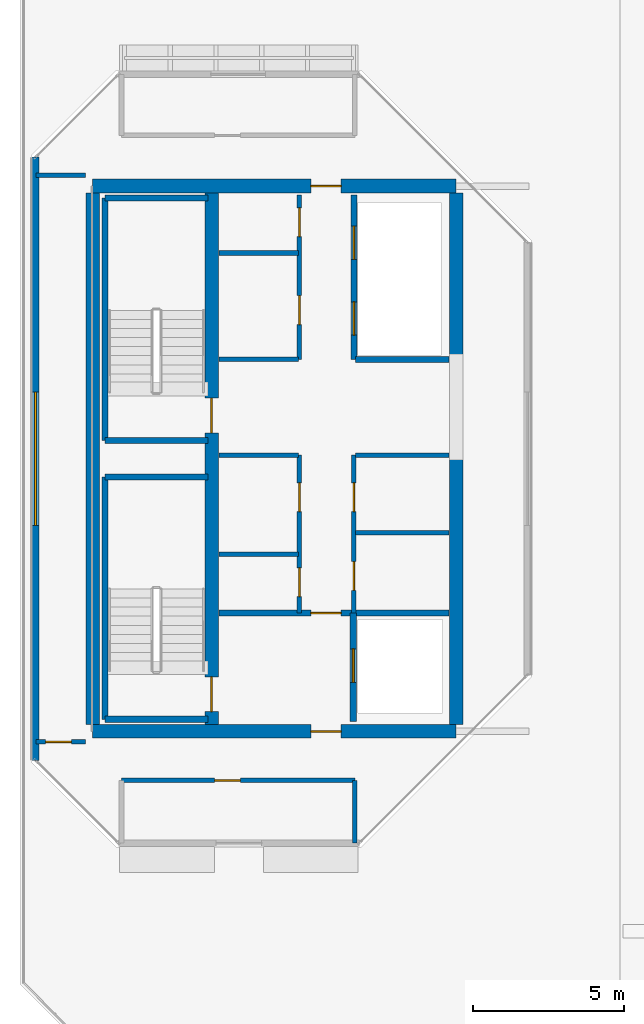
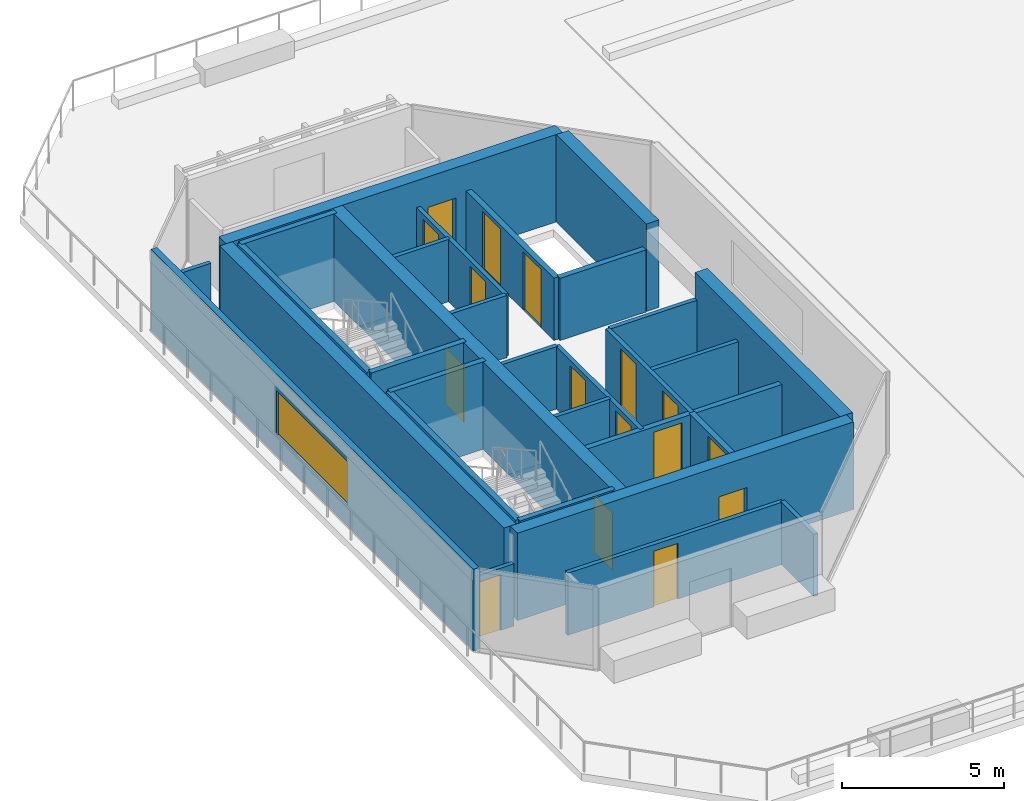
# One storey, part 21 of 30: 30 walls, 16 doors, 1 window, 17 openings.
"""IFC4 building model written with IfcOpenShell, lengths in metres."""

from ifc_helpers import new_model, si_unit, direction, frame, frame_2d, origin, place, context, subcontext, project, spatial, rectangle, extrude, material, layer, layer_set, type_object, element, fill, save


model = new_model("IFC4")

# Units and contexts
model_context = context("Model", 3, precision=1e-05, world=origin(), true_north=direction((0.0, 1.0)))
body_context = subcontext(model_context, "Body", "Model", "MODEL_VIEW")
ifc_project = project(units=[si_unit("LENGTHUNIT", "METRE"), si_unit("AREAUNIT", "SQUARE_METRE"), si_unit("VOLUMEUNIT", "CUBIC_METRE"), si_unit("PLANEANGLEUNIT", "RADIAN"), si_unit("MASSUNIT", "GRAM", prefix="KILO")], contexts=[model_context])

# Site, building, storey
site_placement = place(None, origin())
site = spatial("IfcSite", under=ifc_project, at=site_placement, CompositionType="ELEMENT")
building_placement = place(site_placement, origin())
building = spatial("IfcBuilding", under=site, at=building_placement, Name="Tanjung Sevakor Pilgrim Tower", CompositionType="ELEMENT")
storey_placement = place(building_placement, frame((0.0, 0.0, 229.35009765625)))
storey = spatial("IfcBuildingStorey", under=building, at=storey_placement, Name="L64", CompositionType="ELEMENT", Elevation=229.35009765625)

# Wall, opening, door
ifc_material_1 = material(Name="Concrete C60/75", Category="concrete")
ifc_layer_1 = layer(ifc_material_1, 0.449951171875)
ifc_layer_set_1 = layer_set([ifc_layer_1], Name="WALL-CW-450")
wall_type_1 = type_object("IfcWallType", Name="WALL-CW-450", PredefinedType="SHEAR", material=ifc_layer_set_1)
wall_1_placement = place(storey_placement, frame((24.0, 24.60009765625, 0.0), z_axis=(0.0, 0.0, 1.0), x_axis=(1.0, 0.0, 0.0)))
wall_1 = element("IfcWall", 1, at=wall_1_placement, inside=storey, type_object=wall_type_1, Name="L64 W Core South Shear Wall", PredefinedType="SHEAR", context=body_context, shape_type="SweptSolid", body=[
    extrude(rectangle(XDim=12.0, YDim=0.449951171875, at=frame_2d((6.0, 0.0))), origin(), (0.0, 0.0, 1.0), 3.2998046875),
])
opening_1_placement = place(wall_1_placement, frame((7.199951171875, 0.0, 0.0)))
opening_1 = element("IfcOpeningElement", 2, at=opening_1_placement, cuts=wall_1, Name="Opening ID-FD1", PredefinedType="OPENING", context=body_context, shape_type="SweptSolid", body=[
    extrude(rectangle(XDim=1.0, YDim=2.14990234375, at=frame_2d((0.5, 1.074951171875))), frame((0.0, 0.23486328125, 0.0), z_axis=(0.0, -1.0, 0.0), x_axis=(1.0, 0.0, 0.0)), (0.0, 0.0, 1.0), 0.469970703125),
])
ifc_material_2 = material(Name="Fire-Rated Steel S355J2", Category="steel")
door_type_1 = type_object("IfcDoorType", Name="DT-FIRE-1000", OperationType="NOTDEFINED", PredefinedType="DOOR", material=ifc_material_2)
door_1_placement = place(opening_1_placement, origin())
door_1 = element("IfcDoor", 3, at=door_1_placement, inside=storey, type_object=door_type_1, Name="L64 West Core South Vestibule Fire Door", OperationType="SINGLE_SWING_LEFT", OverallHeight=2.14990234375, OverallWidth=1.0, PredefinedType="DOOR", context=body_context, shape_type="SweptSolid", body=[
    extrude(rectangle(XDim=1.0, YDim=2.14990234375, at=frame_2d((0.5, 1.074951171875))), frame((0.0, 0.02490234375, 0.0), z_axis=(0.0, -1.0, 0.0), x_axis=(1.0, 0.0, 0.0)), (0.0, 0.0, 1.0), 0.050048828125),
])
fill(opening_1, door_1)

wall_2_placement = place(storey_placement, frame((36.0, 42.60009765625, 0.0), z_axis=(0.0, 0.0, 1.0), x_axis=(-1.0, 0.0, 0.0)))
wall_2 = element("IfcWall", 4, at=wall_2_placement, inside=storey, type_object=wall_type_1, Name="L64 W Core North Shear Wall", PredefinedType="SHEAR", context=body_context, shape_type="SweptSolid", body=[
    extrude(rectangle(XDim=12.0, YDim=0.449951171875, at=frame_2d((6.0, 0.0))), origin(), (0.0, 0.0, 1.0), 3.2998046875),
])
opening_2_placement = place(wall_2_placement, frame((3.800048828125, 0.0, 0.0)))
opening_2 = element("IfcOpeningElement", 5, at=opening_2_placement, cuts=wall_2, Name="Opening ID-FD1", PredefinedType="OPENING", context=body_context, shape_type="SweptSolid", body=[
    extrude(rectangle(XDim=1.0, YDim=2.14990234375, at=frame_2d((0.5, 1.074951171875))), frame((0.0, 0.23486328125, 0.0), z_axis=(0.0, -1.0, 0.0), x_axis=(1.0, 0.0, 0.0)), (0.0, 0.0, 1.0), 0.469970703125),
])
door_2_placement = place(opening_2_placement, origin())
door_2 = element("IfcDoor", 6, at=door_2_placement, inside=storey, type_object=door_type_1, Name="L64 West Core North Vestibule Fire Door", OperationType="SINGLE_SWING_RIGHT", OverallHeight=2.14990234375, OverallWidth=1.0, PredefinedType="DOOR", context=body_context, shape_type="SweptSolid", body=[
    extrude(rectangle(XDim=1.0, YDim=2.14990234375, at=frame_2d((0.5, 1.074951171875))), frame((0.0, 0.02490234375, 0.0), z_axis=(0.0, -1.0, 0.0), x_axis=(1.0, 0.0, 0.0)), (0.0, 0.0, 1.0), 0.050048828125),
])
fill(opening_2, door_2)

# Walls
wall_3_placement = place(storey_placement, frame((24.0, 24.824951171875, 0.0), z_axis=(0.0, 0.0, 1.0), x_axis=(0.0, 1.0, 0.0)))
element("IfcWall", 7, at=wall_3_placement, inside=storey, type_object=wall_type_1, Name="L64 W Core Outer Shear Wall", PredefinedType="SHEAR", context=body_context, shape_type="SweptSolid", body=[
    extrude(rectangle(XDim=17.550048828125, YDim=0.449951171875, at=frame_2d((8.77490234375, 0.0))), origin(), (0.0, 0.0, 1.0), 3.2998046875),
])
wall_4_placement = place(storey_placement, frame((36.0, 24.824951171875, 0.0), z_axis=(0.0, 0.0, 1.0), x_axis=(0.0, 1.0, 0.0)))
element("IfcWall", 8, at=wall_4_placement, inside=storey, type_object=wall_type_1, Name="L64 W Core Inner Shear Wall South", PredefinedType="SHEAR", context=body_context, shape_type="SweptSolid", body=[
    extrude(rectangle(XDim=8.97509765625, YDim=0.449951171875, at=frame_2d((4.487548828125, 0.0))), origin(), (0.0, 0.0, 1.0), 3.2998046875),
])
wall_5_placement = place(storey_placement, frame((36.0, 36.800048828125, 0.0), z_axis=(0.0, 0.0, 1.0), x_axis=(0.0, 1.0, 0.0)))
element("IfcWall", 9, at=wall_5_placement, inside=storey, type_object=wall_type_1, Name="L64 W Core Inner Shear Wall North", PredefinedType="SHEAR", context=body_context, shape_type="SweptSolid", body=[
    extrude(rectangle(XDim=5.574951171875, YDim=0.449951171875, at=frame_2d((2.78759765625, 0.0))), origin(), (0.0, 0.0, 1.0), 3.2998046875),
])

# Wall, openings, doors
wall_6_placement = place(storey_placement, frame((27.925048828125, 24.824951171875, 0.0), z_axis=(0.0, 0.0, 1.0), x_axis=(0.0, 1.0, 0.0)))
wall_6 = element("IfcWall", 10, at=wall_6_placement, inside=storey, type_object=wall_type_1, Name="L64 W Core Stair Spine Wall", PredefinedType="SHEAR", context=body_context, shape_type="SweptSolid", body=[
    extrude(rectangle(XDim=17.550048828125, YDim=0.449951171875, at=frame_2d((8.77490234375, 0.0))), origin(), (0.0, 0.0, 1.0), 3.2998046875),
])
opening_3_placement = place(wall_6_placement, frame((0.425048828125, 0.0, 0.0)))
opening_3 = element("IfcOpeningElement", 11, at=opening_3_placement, cuts=wall_6, Name="Opening ID-ST1", PredefinedType="OPENING", context=body_context, shape_type="SweptSolid", body=[
    extrude(rectangle(XDim=1.14990234375, YDim=2.14990234375, at=frame_2d((0.574951171875, 1.074951171875))), frame((0.0, 0.23486328125, 0.0), z_axis=(0.0, -1.0, 0.0), x_axis=(1.0, 0.0, 0.0)), (0.0, 0.0, 1.0), 0.469970703125),
])
opening_4_placement = place(wall_6_placement, frame((9.625, 0.0, 0.0)))
opening_4 = element("IfcOpeningElement", 12, at=opening_4_placement, cuts=wall_6, Name="Opening ID-ST1", PredefinedType="OPENING", context=body_context, shape_type="SweptSolid", body=[
    extrude(rectangle(XDim=1.14990234375, YDim=2.14990234375, at=frame_2d((0.574951171875, 1.074951171875))), frame((0.0, 0.23486328125, 0.0), z_axis=(0.0, -1.0, 0.0), x_axis=(1.0, 0.0, 0.0)), (0.0, 0.0, 1.0), 0.469970703125),
])
ifc_material_3 = material(Name="Fire-Rated Steel S355J2", Category="steel")
door_type_2 = type_object("IfcDoorType", Name="DT-FIRE-1150", OperationType="NOTDEFINED", PredefinedType="DOOR", material=ifc_material_3)
door_3_placement = place(opening_3_placement, origin())
door_3 = element("IfcDoor", 13, at=door_3_placement, inside=storey, type_object=door_type_2, Name="L64 TS-W1 Stair Fire Door", OperationType="SINGLE_SWING_LEFT", OverallHeight=2.14990234375, OverallWidth=1.14990234375, PredefinedType="DOOR", context=body_context, shape_type="SweptSolid", body=[
    extrude(rectangle(XDim=1.14990234375, YDim=2.14990234375, at=frame_2d((0.574951171875, 1.074951171875))), frame((0.0, 0.02490234375, 0.0), z_axis=(0.0, -1.0, 0.0), x_axis=(1.0, 0.0, 0.0)), (0.0, 0.0, 1.0), 0.050048828125),
])
fill(opening_3, door_3)
door_4_placement = place(opening_4_placement, origin())
door_4 = element("IfcDoor", 14, at=door_4_placement, inside=storey, type_object=door_type_2, Name="L64 TS-W2 Stair Fire Door", OperationType="SINGLE_SWING_RIGHT", OverallHeight=2.14990234375, OverallWidth=1.14990234375, PredefinedType="DOOR", context=body_context, shape_type="SweptSolid", body=[
    extrude(rectangle(XDim=1.14990234375, YDim=2.14990234375, at=frame_2d((0.574951171875, 1.074951171875))), frame((0.0, 0.02490234375, 0.0), z_axis=(0.0, -1.0, 0.0), x_axis=(1.0, 0.0, 0.0)), (0.0, 0.0, 1.0), 0.050048828125),
])
fill(opening_4, door_4)

# Walls
ifc_material_4 = material(Name="Concrete C40/50", Category="concrete")
ifc_layer_2 = layer(ifc_material_4, 0.14990234375)
ifc_layer_set_2 = layer_set([ifc_layer_2], Name="WT-COMP-150")
wall_type_2 = type_object("IfcWallType", Name="WT-COMP-150", PredefinedType="SOLIDWALL", material=ifc_layer_set_2)
for number, where, z_axis, x_axis, name in (
    (15, (28.169921875, 30.449951171875, 0.0), (0.0, 0.0, 1.0), (1.0, 0.0, 0.0), "L64 Partition IW-L64-003"),
    (16, (28.169921875, 33.719970703125, 0.0), (0.0, 0.0, 1.0), (1.0, 0.0, 0.0), "L64 Partition IW-L64-004"),
):
    element("IfcWall", number, at=place(storey_placement, frame(where, z_axis=z_axis, x_axis=x_axis)), inside=storey, type_object=wall_type_2, Name=name, PredefinedType="SOLIDWALL", context=body_context, shape_type="SweptSolid", body=[
        extrude(rectangle(XDim=2.630126953125, YDim=0.14990234375, at=frame_2d((1.31494140625, 0.0))), origin(), (0.0, 0.0, 1.0), 2.35009765625),
    ])

# Wall, openings, doors
wall_7_placement = place(storey_placement, frame((30.820068359375, 28.5, 0.0), z_axis=(0.0, 0.0, 1.0), x_axis=(0.0, 1.0, 0.0)))
wall_7 = element("IfcWall", 17, at=wall_7_placement, inside=storey, type_object=wall_type_2, Name="L64 Partition IW-L64-005", PredefinedType="SOLIDWALL", context=body_context, shape_type="SweptSolid", body=[
    extrude(rectangle(XDim=5.219970703125, YDim=0.14990234375, at=frame_2d((2.60986328125, 0.0))), origin(), (0.0, 0.0, 1.0), 2.35009765625),
])
opening_5_placement = place(wall_7_placement, frame((0.550048828125, 0.0, 0.0)))
opening_5 = element("IfcOpeningElement", 18, at=opening_5_placement, cuts=wall_7, Name="Opening ID-FD2", PredefinedType="OPENING", context=body_context, shape_type="SweptSolid", body=[
    extrude(rectangle(XDim=0.949951171875, YDim=2.14990234375, at=frame_2d((0.47509765625, 1.074951171875))), frame((0.0, 0.0849609375, 0.0), z_axis=(0.0, -1.0, 0.0), x_axis=(1.0, 0.0, 0.0)), (0.0, 0.0, 1.0), 0.169921875),
])
opening_6_placement = place(wall_7_placement, frame((3.35009765625, 0.0, 0.0)))
opening_6 = element("IfcOpeningElement", 19, at=opening_6_placement, cuts=wall_7, Name="Opening ID-FD2", PredefinedType="OPENING", context=body_context, shape_type="SweptSolid", body=[
    extrude(rectangle(XDim=0.949951171875, YDim=2.14990234375, at=frame_2d((0.47509765625, 1.074951171875))), frame((0.0, 0.0849609375, 0.0), z_axis=(0.0, -1.0, 0.0), x_axis=(1.0, 0.0, 0.0)), (0.0, 0.0, 1.0), 0.169921875),
])
ifc_material_5 = material(Name="Fire-Rated Timber", Category="wood")
door_type_3 = type_object("IfcDoorType", Name="DT-FIRE-950", OperationType="NOTDEFINED", PredefinedType="DOOR", material=ifc_material_5)
door_5_placement = place(opening_5_placement, origin())
door_5 = element("IfcDoor", 20, at=door_5_placement, inside=storey, type_object=door_type_3, Name="L64 Cleaner Store Door", OperationType="SINGLE_SWING_RIGHT", OverallHeight=2.14990234375, OverallWidth=0.949951171875, PredefinedType="DOOR", context=body_context, shape_type="SweptSolid", body=[
    extrude(rectangle(XDim=0.949951171875, YDim=2.14990234375, at=frame_2d((0.47509765625, 1.074951171875))), frame((0.0, 0.02490234375, 0.0), z_axis=(0.0, -1.0, 0.0), x_axis=(1.0, 0.0, 0.0)), (0.0, 0.0, 1.0), 0.050048828125),
])
fill(opening_5, door_5)
door_6_placement = place(opening_6_placement, origin())
door_6 = element("IfcDoor", 21, at=door_6_placement, inside=storey, type_object=door_type_3, Name="L64 Housekeeping Pantry Door", OperationType="SINGLE_SWING_LEFT", OverallHeight=2.14990234375, OverallWidth=0.949951171875, PredefinedType="DOOR", context=body_context, shape_type="SweptSolid", body=[
    extrude(rectangle(XDim=0.949951171875, YDim=2.14990234375, at=frame_2d((0.47509765625, 1.074951171875))), frame((0.0, 0.02490234375, 0.0), z_axis=(0.0, -1.0, 0.0), x_axis=(1.0, 0.0, 0.0)), (0.0, 0.0, 1.0), 0.050048828125),
])
fill(opening_6, door_6)

# Walls
for number, where, z_axis, x_axis, name in (
    (22, (32.679931640625, 31.14990234375, 0.0), (0.0, 0.0, 1.0), (1.0, 0.0, 0.0), "L64 Partition IW-L64-006"),
    (23, (32.679931640625, 33.719970703125, 0.0), (0.0, 0.0, 1.0), (1.0, 0.0, 0.0), "L64 Partition IW-L64-007"),
):
    element("IfcWall", number, at=place(storey_placement, frame(where, z_axis=z_axis, x_axis=x_axis)), inside=storey, type_object=wall_type_2, Name=name, PredefinedType="SOLIDWALL", context=body_context, shape_type="SweptSolid", body=[
        extrude(rectangle(XDim=3.074951171875, YDim=0.14990234375, at=frame_2d((1.53759765625, 0.0))), origin(), (0.0, 0.0, 1.0), 2.35009765625),
    ])

# Wall, openings, doors
wall_8_placement = place(storey_placement, frame((32.6201171875, 28.5, 0.0), z_axis=(0.0, 0.0, 1.0), x_axis=(0.0, 1.0, 0.0)))
wall_8 = element("IfcWall", 24, at=wall_8_placement, inside=storey, type_object=wall_type_2, Name="L64 Partition IW-L64-008", PredefinedType="SOLIDWALL", context=body_context, shape_type="SweptSolid", body=[
    extrude(rectangle(XDim=5.219970703125, YDim=0.14990234375, at=frame_2d((2.60986328125, 0.0))), origin(), (0.0, 0.0, 1.0), 2.35009765625),
])
opening_7_placement = place(wall_8_placement, frame((0.75, 0.0, 0.0)))
opening_7 = element("IfcOpeningElement", 25, at=opening_7_placement, cuts=wall_8, Name="Opening ID-FD2", PredefinedType="OPENING", context=body_context, shape_type="SweptSolid", body=[
    extrude(rectangle(XDim=0.949951171875, YDim=2.14990234375, at=frame_2d((0.47509765625, 1.074951171875))), frame((0.0, 0.0849609375, 0.0), z_axis=(0.0, -1.0, 0.0), x_axis=(1.0, 0.0, 0.0)), (0.0, 0.0, 1.0), 0.169921875),
])
opening_8_placement = place(wall_8_placement, frame((3.35009765625, 0.0, 0.0)))
opening_8 = element("IfcOpeningElement", 26, at=opening_8_placement, cuts=wall_8, Name="Opening ID-FD2", PredefinedType="OPENING", context=body_context, shape_type="SweptSolid", body=[
    extrude(rectangle(XDim=0.949951171875, YDim=2.14990234375, at=frame_2d((0.47509765625, 1.074951171875))), frame((0.0, 0.0849609375, 0.0), z_axis=(0.0, -1.0, 0.0), x_axis=(1.0, 0.0, 0.0)), (0.0, 0.0, 1.0), 0.169921875),
])
door_7_placement = place(opening_7_placement, origin())
door_7 = element("IfcDoor", 27, at=door_7_placement, inside=storey, type_object=door_type_3, Name="L64 Accessible WC Door", OperationType="SINGLE_SWING_RIGHT", OverallHeight=2.14990234375, OverallWidth=0.949951171875, PredefinedType="DOOR", context=body_context, shape_type="SweptSolid", body=[
    extrude(rectangle(XDim=0.949951171875, YDim=2.14990234375, at=frame_2d((0.47509765625, 1.074951171875))), frame((0.0, 0.02490234375, 0.0), z_axis=(0.0, -1.0, 0.0), x_axis=(1.0, 0.0, 0.0)), (0.0, 0.0, 1.0), 0.050048828125),
])
fill(opening_7, door_7)
door_8_placement = place(opening_8_placement, origin())
door_8 = element("IfcDoor", 28, at=door_8_placement, inside=storey, type_object=door_type_3, Name="L64 Core Service Door", OperationType="SINGLE_SWING_LEFT", OverallHeight=2.14990234375, OverallWidth=0.949951171875, PredefinedType="DOOR", context=body_context, shape_type="SweptSolid", body=[
    extrude(rectangle(XDim=0.949951171875, YDim=2.14990234375, at=frame_2d((0.47509765625, 1.074951171875))), frame((0.0, 0.02490234375, 0.0), z_axis=(0.0, -1.0, 0.0), x_axis=(1.0, 0.0, 0.0)), (0.0, 0.0, 1.0), 0.050048828125),
])
fill(opening_8, door_8)

# Walls
for number, where, z_axis, x_axis, name in (
    (29, (28.169921875, 36.8798828125, 0.0), (0.0, 0.0, 1.0), (1.0, 0.0, 0.0), "L64 Partition IW-L64-009"),
    (30, (28.169921875, 40.389892578125, 0.0), (0.0, 0.0, 1.0), (1.0, 0.0, 0.0), "L64 Partition IW-L64-010"),
):
    element("IfcWall", number, at=place(storey_placement, frame(where, z_axis=z_axis, x_axis=x_axis)), inside=storey, type_object=wall_type_2, Name=name, PredefinedType="SOLIDWALL", context=body_context, shape_type="SweptSolid", body=[
        extrude(rectangle(XDim=2.630126953125, YDim=0.14990234375, at=frame_2d((1.31494140625, 0.0))), origin(), (0.0, 0.0, 1.0), 2.35009765625),
    ])

# Wall, openings, doors
wall_9_placement = place(storey_placement, frame((30.820068359375, 36.8798828125, 0.0), z_axis=(0.0, 0.0, 1.0), x_axis=(0.0, 1.0, 0.0)))
wall_9 = element("IfcWall", 31, at=wall_9_placement, inside=storey, type_object=wall_type_2, Name="L64 Partition IW-L64-011", PredefinedType="SOLIDWALL", context=body_context, shape_type="SweptSolid", body=[
    extrude(rectangle(XDim=5.420166015625, YDim=0.14990234375, at=frame_2d((2.7099609375, 0.0))), origin(), (0.0, 0.0, 1.0), 2.35009765625),
])
opening_9_placement = place(wall_9_placement, frame((1.14990234375, 0.0, 0.0)))
opening_9 = element("IfcOpeningElement", 32, at=opening_9_placement, cuts=wall_9, Name="Opening ID-FD2", PredefinedType="OPENING", context=body_context, shape_type="SweptSolid", body=[
    extrude(rectangle(XDim=0.949951171875, YDim=2.14990234375, at=frame_2d((0.47509765625, 1.074951171875))), frame((0.0, 0.0849609375, 0.0), z_axis=(0.0, -1.0, 0.0), x_axis=(1.0, 0.0, 0.0)), (0.0, 0.0, 1.0), 0.169921875),
])
opening_10_placement = place(wall_9_placement, frame((4.050048828125, 0.0, 0.0)))
opening_10 = element("IfcOpeningElement", 33, at=opening_10_placement, cuts=wall_9, Name="Opening ID-FD2", PredefinedType="OPENING", context=body_context, shape_type="SweptSolid", body=[
    extrude(rectangle(XDim=0.949951171875, YDim=2.14990234375, at=frame_2d((0.47509765625, 1.074951171875))), frame((0.0, 0.0849609375, 0.0), z_axis=(0.0, -1.0, 0.0), x_axis=(1.0, 0.0, 0.0)), (0.0, 0.0, 1.0), 0.169921875),
])
door_9_placement = place(opening_9_placement, origin())
door_9 = element("IfcDoor", 34, at=door_9_placement, inside=storey, type_object=door_type_3, Name="L64 Core Study Room Door", OperationType="SINGLE_SWING_RIGHT", OverallHeight=2.14990234375, OverallWidth=0.949951171875, PredefinedType="DOOR", context=body_context, shape_type="SweptSolid", body=[
    extrude(rectangle(XDim=0.949951171875, YDim=2.14990234375, at=frame_2d((0.47509765625, 1.074951171875))), frame((0.0, 0.02490234375, 0.0), z_axis=(0.0, -1.0, 0.0), x_axis=(1.0, 0.0, 0.0)), (0.0, 0.0, 1.0), 0.050048828125),
])
fill(opening_9, door_9)
door_10_placement = place(opening_10_placement, origin())
door_10 = element("IfcDoor", 35, at=door_10_placement, inside=storey, type_object=door_type_3, Name="L64 Service Store Door", OperationType="SINGLE_SWING_LEFT", OverallHeight=2.14990234375, OverallWidth=0.949951171875, PredefinedType="DOOR", context=body_context, shape_type="SweptSolid", body=[
    extrude(rectangle(XDim=0.949951171875, YDim=2.14990234375, at=frame_2d((0.47509765625, 1.074951171875))), frame((0.0, 0.02490234375, 0.0), z_axis=(0.0, -1.0, 0.0), x_axis=(1.0, 0.0, 0.0)), (0.0, 0.0, 1.0), 0.050048828125),
])
fill(opening_10, door_10)

# Wall, opening, door
wall_10_placement = place(storey_placement, frame((24.949951171875, 22.97998046875, 0.0), z_axis=(0.0, 0.0, 1.0), x_axis=(1.0, 0.0, 0.0)))
wall_10 = element("IfcWall", 36, at=wall_10_placement, inside=storey, type_object=wall_type_2, Name="L64 Partition IW-L64-027", PredefinedType="SOLIDWALL", context=body_context, shape_type="SweptSolid", body=[
    extrude(rectangle(XDim=7.699951171875, YDim=0.14990234375, at=frame_2d((3.85009765625, 0.0))), origin(), (0.0, 0.0, 1.0), 2.35009765625),
])
opening_11_placement = place(wall_10_placement, frame((3.074951171875, 0.0, 0.0)))
opening_11 = element("IfcOpeningElement", 37, at=opening_11_placement, cuts=wall_10, Name="Opening ID-WC1", PredefinedType="OPENING", context=body_context, shape_type="SweptSolid", body=[
    extrude(rectangle(XDim=0.85009765625, YDim=2.10009765625, at=frame_2d((0.425048828125, 1.050048828125))), frame((0.0, 0.0849609375, 0.0), z_axis=(0.0, -1.0, 0.0), x_axis=(1.0, 0.0, 0.0)), (0.0, 0.0, 1.0), 0.169921875),
])
ifc_material_6 = material(Name="Moisture-Resistant Timber", Category="wood")
door_type_4 = type_object("IfcDoorType", Name="DT-INT-850", OperationType="NOTDEFINED", PredefinedType="DOOR", material=ifc_material_6)
door_11_placement = place(opening_11_placement, origin())
door_11 = element("IfcDoor", 38, at=door_11_placement, inside=storey, type_object=door_type_4, Name="L64 West Peak Meditation Door", OperationType="SINGLE_SWING_RIGHT", OverallHeight=2.10009765625, OverallWidth=0.85009765625, PredefinedType="DOOR", context=body_context, shape_type="SweptSolid", body=[
    extrude(rectangle(XDim=0.85009765625, YDim=2.10009765625, at=frame_2d((0.425048828125, 1.050048828125))), frame((0.0, 0.02490234375, 0.0), z_axis=(0.0, -1.0, 0.0), x_axis=(1.0, 0.0, 0.0)), (0.0, 0.0, 1.0), 0.050048828125),
])
fill(opening_11, door_11)

# Wall
wall_11_placement = place(storey_placement, frame((32.64990234375, 20.919921875, 0.0), z_axis=(0.0, 0.0, 1.0), x_axis=(0.0, 1.0, 0.0)))
element("IfcWall", 39, at=wall_11_placement, inside=storey, type_object=wall_type_2, Name="L64 Partition IW-L64-029", PredefinedType="SOLIDWALL", context=body_context, shape_type="SweptSolid", body=[
    extrude(rectangle(XDim=2.06005859375, YDim=0.14990234375, at=frame_2d((1.030029296875, 0.0))), origin(), (0.0, 0.0, 1.0), 2.35009765625),
])

# Wall, opening, door
wall_12_placement = place(storey_placement, frame((22.1201171875, 24.25, 0.0), z_axis=(0.0, 0.0, 1.0), x_axis=(1.0, 0.0, 0.0)))
wall_12 = element("IfcWall", 40, at=wall_12_placement, inside=storey, type_object=wall_type_2, Name="L64 Partition IW-L64-030", PredefinedType="SOLIDWALL", context=body_context, shape_type="SweptSolid", body=[
    extrude(rectangle(XDim=1.639892578125, YDim=0.14990234375, at=frame_2d((0.81982421875, 0.0))), origin(), (0.0, 0.0, 1.0), 2.35009765625),
])
opening_12_placement = place(wall_12_placement, frame((0.324951171875, 0.0, 0.0)))
opening_12 = element("IfcOpeningElement", 41, at=opening_12_placement, cuts=wall_12, Name="Opening ID-WC1", PredefinedType="OPENING", context=body_context, shape_type="SweptSolid", body=[
    extrude(rectangle(XDim=0.85009765625, YDim=2.10009765625, at=frame_2d((0.425048828125, 1.050048828125))), frame((0.0, 0.0849609375, 0.0), z_axis=(0.0, -1.0, 0.0), x_axis=(1.0, 0.0, 0.0)), (0.0, 0.0, 1.0), 0.169921875),
])
door_12_placement = place(opening_12_placement, origin())
door_12 = element("IfcDoor", 42, at=door_12_placement, inside=storey, type_object=door_type_4, Name="L64 West Peak Sky Lounge Door", OperationType="SINGLE_SWING_LEFT", OverallHeight=2.10009765625, OverallWidth=0.85009765625, PredefinedType="DOOR", context=body_context, shape_type="SweptSolid", body=[
    extrude(rectangle(XDim=0.85009765625, YDim=2.10009765625, at=frame_2d((0.425048828125, 1.050048828125))), frame((0.0, 0.02490234375, 0.0), z_axis=(0.0, -1.0, 0.0), x_axis=(1.0, 0.0, 0.0)), (0.0, 0.0, 1.0), 0.050048828125),
])
fill(opening_12, door_12)

# Wall
wall_13_placement = place(storey_placement, frame((22.1201171875, 42.949951171875, 0.0), z_axis=(0.0, 0.0, 1.0), x_axis=(1.0, 0.0, 0.0)))
element("IfcWall", 43, at=wall_13_placement, inside=storey, type_object=wall_type_2, Name="L64 Partition IW-L64-031", PredefinedType="SOLIDWALL", context=body_context, shape_type="SweptSolid", body=[
    extrude(rectangle(XDim=1.639892578125, YDim=0.14990234375, at=frame_2d((0.81982421875, 0.0))), origin(), (0.0, 0.0, 1.0), 2.35009765625),
])

# Wall, opening, window
ifc_material_7 = material(Name="Precast concrete C45/55", Category="concrete")
ifc_layer_3 = layer(ifc_material_7, 0.219970703125)
ifc_layer_set_3 = layer_set([ifc_layer_3], Name="WT-EW-STN4")
wall_type_3 = type_object("IfcWallType", Name="WT-EW-STN4", PredefinedType="SOLIDWALL", material=ifc_layer_set_3)
wall_14_placement = place(storey_placement, frame((22.110107421875, 43.554443359375, 0.0), z_axis=(0.0, 0.0, 1.0), x_axis=(0.0, -1.0, 0.0)))
wall_14 = element("IfcWall", 44, at=wall_14_placement, inside=storey, type_object=wall_type_3, Name="L64 WEST Exterior Wall 7", PredefinedType="SOLIDWALL", context=body_context, shape_type="SweptSolid", body=[
    extrude(rectangle(XDim=19.908935546875, YDim=0.219970703125, at=frame_2d((9.95458984375, 0.0))), origin(), (0.0, 0.0, 1.0), 3.080078125),
])
opening_13_placement = place(wall_14_placement, frame((7.75439453125, 0.0, 0.780029296875)))
opening_13 = element("IfcOpeningElement", 45, at=opening_13_placement, cuts=wall_14, Name="Opening WN-ENDW-1660", PredefinedType="OPENING", context=body_context, shape_type="SweptSolid", body=[
    extrude(rectangle(XDim=4.39990234375, YDim=1.659912109375, at=frame_2d((2.199951171875, 0.830078125))), frame((0.0, 0.119873046875, 0.0), z_axis=(0.0, -1.0, 0.0), x_axis=(1.0, 0.0, 0.0)), (0.0, 0.0, 1.0), 0.239990234375),
])
ifc_material_8 = material(Name="Thermally Broken Aluminium and Low-E Glass", Category="aluminium")
window_type = type_object("IfcWindowType", Name="WTYP-WN-ENDW-1660", PartitioningType="DOUBLE_PANEL_VERTICAL", PredefinedType="WINDOW", material=ifc_material_8)
window_placement = place(opening_13_placement, origin())
window = element("IfcWindow", 46, at=window_placement, inside=storey, type_object=window_type, Name="L64 Facade Window 01", OverallHeight=1.659912109375, OverallWidth=4.39990234375, PartitioningType="SINGLE_PANEL", PredefinedType="WINDOW", context=body_context, shape_type="SweptSolid", body=[
    extrude(rectangle(XDim=4.39990234375, YDim=1.659912109375, at=frame_2d((2.199951171875, 0.830078125))), frame((0.0, 0.030029296875, 0.0), z_axis=(0.0, -1.0, 0.0), x_axis=(1.0, 0.0, 0.0)), (0.0, 0.0, 1.0), 0.06005859375),
])
fill(opening_13, window)

# Walls
ifc_material_9 = material(Name="Concrete C40/50", Category="concrete")
ifc_layer_4 = layer(ifc_material_9, 0.199951171875)
ifc_layer_set_4 = layer_set([ifc_layer_4], Name="WT-FIRE-200")
wall_type_4 = type_object("IfcWallType", Name="WT-FIRE-200", PredefinedType="SOLIDWALL", material=ifc_layer_set_4)
for number, where, z_axis, x_axis, name in (
    (47, (24.39990234375, 25.0, 0.0), (0.0, 0.0, 1.0), (1.0, 0.0, 0.0), "L64 TS-W1 Shaft Wall 1"),
    (48, (27.800048828125, 33.0, 0.0), (0.0, 0.0, 1.0), (-1.0, 0.0, 0.0), "L64 TS-W1 Shaft Wall 2"),
):
    element("IfcWall", number, at=place(storey_placement, frame(where, z_axis=z_axis, x_axis=x_axis)), inside=storey, type_object=wall_type_4, Name=name, PredefinedType="SOLIDWALL", context=body_context, shape_type="SweptSolid", body=[
        extrude(rectangle(XDim=3.400146484375, YDim=0.199951171875, at=frame_2d((1.7001953125, 0.0))), origin(), (0.0, 0.0, 1.0), 3.2998046875),
    ])
wall_15_placement = place(storey_placement, frame((24.39990234375, 33.0, 0.0), z_axis=(0.0, 0.0, 1.0), x_axis=(0.0, -1.0, 0.0)))
element("IfcWall", 49, at=wall_15_placement, inside=storey, type_object=wall_type_4, Name="L64 TS-W1 Shaft Wall 3", PredefinedType="SOLIDWALL", context=body_context, shape_type="SweptSolid", body=[
    extrude(rectangle(XDim=8.0, YDim=0.199951171875, at=frame_2d((4.0, 0.0))), origin(), (0.0, 0.0, 1.0), 3.2998046875),
])
for number, where, z_axis, x_axis, name in (
    (50, (24.39990234375, 34.199951171875, 0.0), (0.0, 0.0, 1.0), (1.0, 0.0, 0.0), "L64 TS-W2 Shaft Wall 1"),
    (51, (27.800048828125, 42.199951171875, 0.0), (0.0, 0.0, 1.0), (-1.0, 0.0, 0.0), "L64 TS-W2 Shaft Wall 2"),
):
    element("IfcWall", number, at=place(storey_placement, frame(where, z_axis=z_axis, x_axis=x_axis)), inside=storey, type_object=wall_type_4, Name=name, PredefinedType="SOLIDWALL", context=body_context, shape_type="SweptSolid", body=[
        extrude(rectangle(XDim=3.400146484375, YDim=0.199951171875, at=frame_2d((1.7001953125, 0.0))), origin(), (0.0, 0.0, 1.0), 3.2998046875),
    ])
wall_16_placement = place(storey_placement, frame((24.39990234375, 42.199951171875, 0.0), z_axis=(0.0, 0.0, 1.0), x_axis=(0.0, -1.0, 0.0)))
element("IfcWall", 52, at=wall_16_placement, inside=storey, type_object=wall_type_4, Name="L64 TS-W2 Shaft Wall 3", PredefinedType="SOLIDWALL", context=body_context, shape_type="SweptSolid", body=[
    extrude(rectangle(XDim=8.0, YDim=0.199951171875, at=frame_2d((4.0, 0.0))), origin(), (0.0, 0.0, 1.0), 3.2998046875),
])

# Wall, opening, door
ifc_material_10 = material(Name="Concrete C40/50", Category="concrete")
ifc_layer_5 = layer(ifc_material_10, 0.199951171875)
ifc_layer_set_5 = layer_set([ifc_layer_5], Name="WT-FPRT-200")
wall_type_5 = type_object("IfcWallType", Name="WT-FPRT-200", PredefinedType="SOLIDWALL", material=ifc_layer_set_5)
wall_17_placement = place(storey_placement, frame((32.60009765625, 24.919921875, 0.0), z_axis=(0.0, 0.0, 1.0), x_axis=(0.0, 1.0, 0.0)))
wall_17 = element("IfcWall", 53, at=wall_17_placement, inside=storey, type_object=wall_type_5, Name="L64 Partition IW-L64-001", PredefinedType="SOLIDWALL", context=body_context, shape_type="SweptSolid", body=[
    extrude(rectangle(XDim=3.580078125, YDim=0.199951171875, at=frame_2d((1.7900390625, 0.0))), origin(), (0.0, 0.0, 1.0), 2.35009765625),
])
opening_14_placement = place(wall_17_placement, frame((1.300048828125, 0.0, 0.0)))
opening_14 = element("IfcOpeningElement", 54, at=opening_14_placement, cuts=wall_17, Name="Opening LD-1100", PredefinedType="OPENING", context=body_context, shape_type="SweptSolid", body=[
    extrude(rectangle(XDim=1.10009765625, YDim=2.199951171875, at=frame_2d((0.550048828125, 1.10009765625))), frame((0.0, 0.10986328125, 0.0), z_axis=(0.0, -1.0, 0.0), x_axis=(1.0, 0.0, 0.0)), (0.0, 0.0, 1.0), 0.219970703125),
])
ifc_material_11 = material(Name="Brushed Stainless Steel S355J2", Category="steel")
door_type_5 = type_object("IfcDoorType", Name="DT-LIFT-1100", OperationType="SLIDING_TO_LEFT", PredefinedType="DOOR", material=ifc_material_11)
door_13_placement = place(opening_14_placement, origin())
door_13 = element("IfcDoor", 55, at=door_13_placement, inside=storey, type_object=door_type_5, Name="LD-FL-W", OperationType="SLIDING_TO_LEFT", OverallHeight=2.199951171875, OverallWidth=1.10009765625, PredefinedType="DOOR", context=body_context, shape_type="SweptSolid", body=[
    extrude(rectangle(XDim=1.10009765625, YDim=2.199951171875, at=frame_2d((0.550048828125, 1.10009765625))), frame((0.0, 0.02490234375, 0.0), z_axis=(0.0, -1.0, 0.0), x_axis=(1.0, 0.0, 0.0)), (0.0, 0.0, 1.0), 0.050048828125),
])
fill(opening_14, door_13)

wall_18_placement = place(storey_placement, frame((28.169921875, 28.5, 0.0), z_axis=(0.0, 0.0, 1.0), x_axis=(1.0, 0.0, 0.0)))
wall_18 = element("IfcWall", 56, at=wall_18_placement, inside=storey, type_object=wall_type_5, Name="L64 Partition IW-L64-002", PredefinedType="SOLIDWALL", context=body_context, shape_type="SweptSolid", body=[
    extrude(rectangle(XDim=7.5849609375, YDim=0.199951171875, at=frame_2d((3.79248046875, 0.0))), origin(), (0.0, 0.0, 1.0), 2.35009765625),
])
opening_15_placement = place(wall_18_placement, frame((3.030029296875, 0.0, 0.0)))
opening_15 = element("IfcOpeningElement", 57, at=opening_15_placement, cuts=wall_18, Name="Opening ID-FD1", PredefinedType="OPENING", context=body_context, shape_type="SweptSolid", body=[
    extrude(rectangle(XDim=1.0, YDim=2.14990234375, at=frame_2d((0.5, 1.074951171875))), frame((0.0, 0.10986328125, 0.0), z_axis=(0.0, -1.0, 0.0), x_axis=(1.0, 0.0, 0.0)), (0.0, 0.0, 1.0), 0.219970703125),
])
door_14_placement = place(opening_15_placement, origin())
door_14 = element("IfcDoor", 58, at=door_14_placement, inside=storey, type_object=door_type_1, Name="Fire Lobby Door W", OperationType="SINGLE_SWING_LEFT", OverallHeight=2.14990234375, OverallWidth=1.0, PredefinedType="DOOR", context=body_context, shape_type="SweptSolid", body=[
    extrude(rectangle(XDim=1.0, YDim=2.14990234375, at=frame_2d((0.5, 1.074951171875))), frame((0.0, 0.02490234375, 0.0), z_axis=(0.0, -1.0, 0.0), x_axis=(1.0, 0.0, 0.0)), (0.0, 0.0, 1.0), 0.050048828125),
])
fill(opening_15, door_14)

# Wall
wall_19_placement = place(storey_placement, frame((32.679931640625, 36.8798828125, 0.0), z_axis=(0.0, 0.0, 1.0), x_axis=(1.0, 0.0, 0.0)))
element("IfcWall", 59, at=wall_19_placement, inside=storey, type_object=wall_type_5, Name="L64 Partition IW-L64-012", PredefinedType="SOLIDWALL", context=body_context, shape_type="SweptSolid", body=[
    extrude(rectangle(XDim=3.074951171875, YDim=0.199951171875, at=frame_2d((1.53759765625, 0.0))), origin(), (0.0, 0.0, 1.0), 2.35009765625),
])

# Wall, openings, doors
wall_20_placement = place(storey_placement, frame((32.6201171875, 36.8798828125, 0.0), z_axis=(0.0, 0.0, 1.0), x_axis=(0.0, 1.0, 0.0)))
wall_20 = element("IfcWall", 60, at=wall_20_placement, inside=storey, type_object=wall_type_5, Name="L64 Partition IW-L64-013", PredefinedType="SOLIDWALL", context=body_context, shape_type="SweptSolid", body=[
    extrude(rectangle(XDim=5.420166015625, YDim=0.199951171875, at=frame_2d((2.7099609375, 0.0))), origin(), (0.0, 0.0, 1.0), 2.35009765625),
])
opening_16_placement = place(wall_20_placement, frame((0.800048828125, 0.0, 0.0)))
opening_16 = element("IfcOpeningElement", 61, at=opening_16_placement, cuts=wall_20, Name="Opening LD-1100", PredefinedType="OPENING", context=body_context, shape_type="SweptSolid", body=[
    extrude(rectangle(XDim=1.10009765625, YDim=2.199951171875, at=frame_2d((0.550048828125, 1.10009765625))), frame((0.0, 0.10986328125, 0.0), z_axis=(0.0, -1.0, 0.0), x_axis=(1.0, 0.0, 0.0)), (0.0, 0.0, 1.0), 0.219970703125),
])
opening_17_placement = place(wall_20_placement, frame((3.300048828125, 0.0, 0.0)))
opening_17 = element("IfcOpeningElement", 62, at=opening_17_placement, cuts=wall_20, Name="Opening LD-1100", PredefinedType="OPENING", context=body_context, shape_type="SweptSolid", body=[
    extrude(rectangle(XDim=1.10009765625, YDim=2.199951171875, at=frame_2d((0.550048828125, 1.10009765625))), frame((0.0, 0.10986328125, 0.0), z_axis=(0.0, -1.0, 0.0), x_axis=(1.0, 0.0, 0.0)), (0.0, 0.0, 1.0), 0.219970703125),
])
door_15_placement = place(opening_16_placement, origin())
door_15 = element("IfcDoor", 63, at=door_15_placement, inside=storey, type_object=door_type_5, Name="LD-PLH1-W", OperationType="SLIDING_TO_LEFT", OverallHeight=2.199951171875, OverallWidth=1.10009765625, PredefinedType="DOOR", context=body_context, shape_type="SweptSolid", body=[
    extrude(rectangle(XDim=1.10009765625, YDim=2.199951171875, at=frame_2d((0.550048828125, 1.10009765625))), frame((0.0, 0.02490234375, 0.0), z_axis=(0.0, -1.0, 0.0), x_axis=(1.0, 0.0, 0.0)), (0.0, 0.0, 1.0), 0.050048828125),
])
fill(opening_16, door_15)
door_16_placement = place(opening_17_placement, origin())
door_16 = element("IfcDoor", 64, at=door_16_placement, inside=storey, type_object=door_type_5, Name="LD-PLH2-W", OperationType="SLIDING_TO_RIGHT", OverallHeight=2.199951171875, OverallWidth=1.10009765625, PredefinedType="DOOR", context=body_context, shape_type="SweptSolid", body=[
    extrude(rectangle(XDim=1.10009765625, YDim=2.199951171875, at=frame_2d((0.550048828125, 1.10009765625))), frame((0.0, 0.02490234375, 0.0), z_axis=(0.0, -1.0, 0.0), x_axis=(1.0, 0.0, 0.0)), (0.0, 0.0, 1.0), 0.050048828125),
])
fill(opening_17, door_16)

save(model, "model.ifc")
